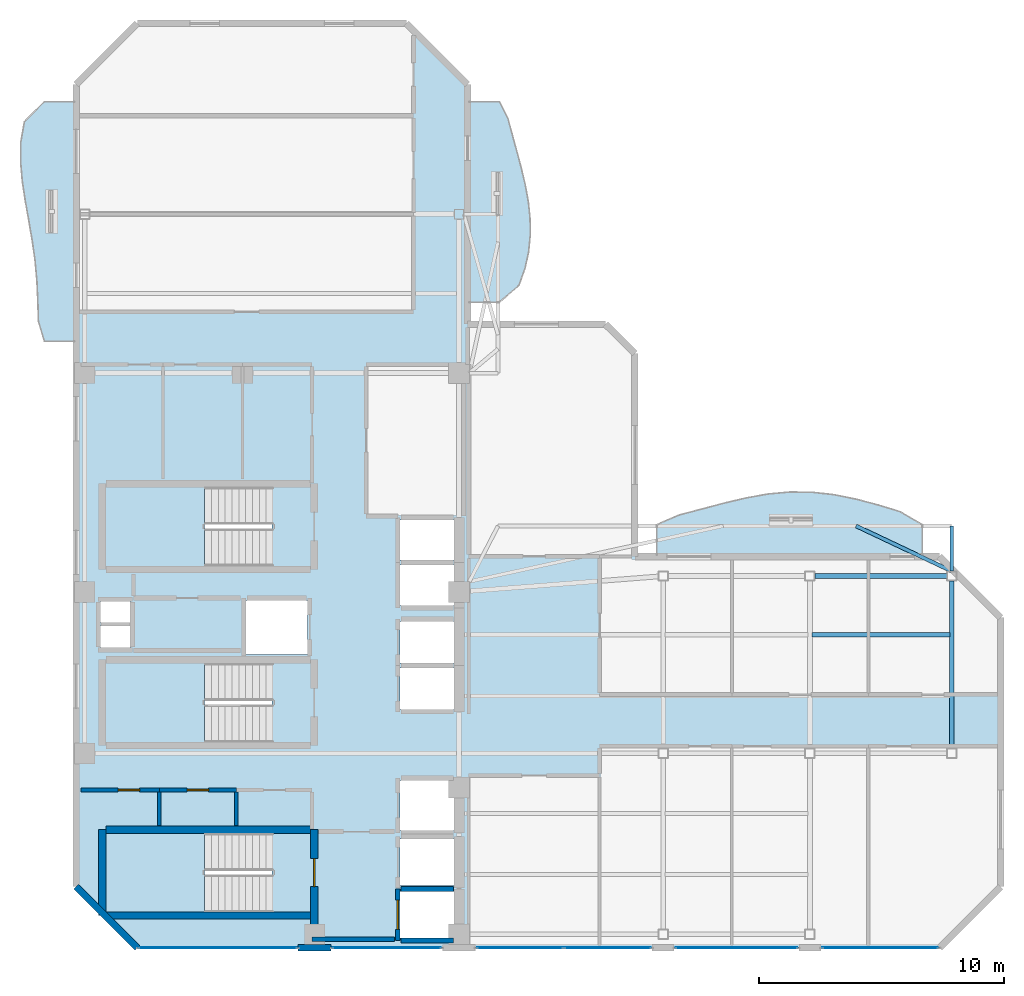
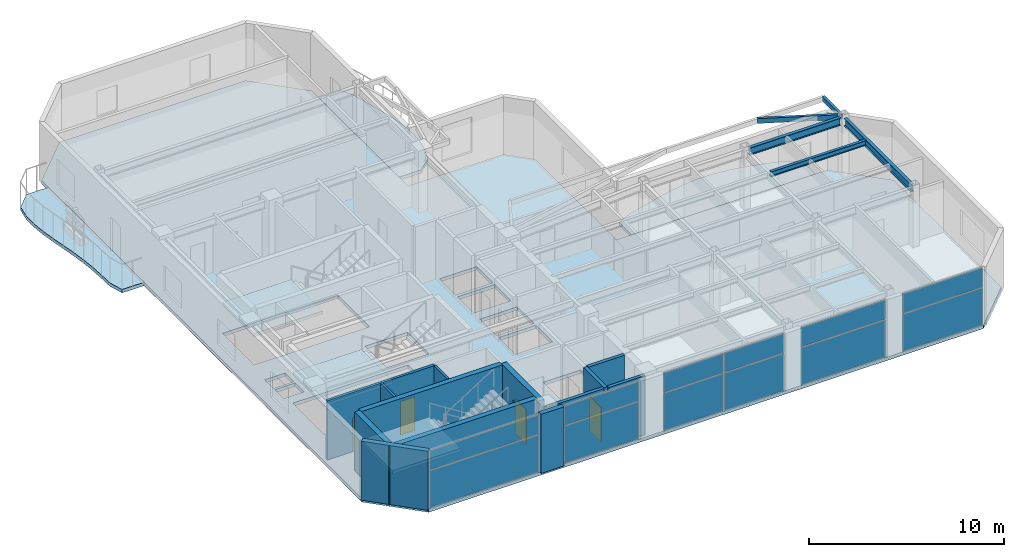
# One storey, part 8 of 14: 14 walls, 12 plates, 7 slabs, 5 beams, 4 doors, 4 openings, 8 elements without a shape of their own.
"""IFC4 building model written with IfcOpenShell, lengths in metres."""

from ifc_helpers import new_model, si_unit, direction, frame, frame_2d, origin, origin_2d, place, context, subcontext, project, spatial, polyline, rectangle, hollow_rectangle, i_section, outline, extrude, material, layer, layer_set, material_profile, profile_set, type_object, element, fill, aggregate, save


model = new_model("IFC4")

# Units and contexts
model_context = context("Model", 3, precision=1e-05, world=origin(), true_north=direction((0.0, 1.0)))
body_context = subcontext(model_context, "Body", "Model", "MODEL_VIEW")
ifc_project = project(units=[si_unit("LENGTHUNIT", "METRE"), si_unit("AREAUNIT", "SQUARE_METRE"), si_unit("VOLUMEUNIT", "CUBIC_METRE"), si_unit("PLANEANGLEUNIT", "RADIAN"), si_unit("MASSUNIT", "GRAM", prefix="KILO")], contexts=[model_context])

# Site, building, storey
site_placement = place(None, origin())
site = spatial("IfcSite", under=ifc_project, at=site_placement, CompositionType="ELEMENT")
building_placement = place(site_placement, origin())
building = spatial("IfcBuilding", under=site, at=building_placement, Name="Mawjaban Terraces University", CompositionType="ELEMENT")
storey_placement = place(building_placement, frame((0.0, 0.0, 256.0)))
storey = spatial("IfcBuildingStorey", under=building, at=storey_placement, Name="L62", CompositionType="ELEMENT", Elevation=256.0)

# Beams
ifc_material_1 = material(Name="Steel EN 10210-1 S355J2H", Category="steel")
ifc_material_profile_1 = material_profile(ifc_material_1, hollow_rectangle(XDim=0.14990234375, YDim=0.300048828125, WallThickness=0.012451171875, at=origin_2d()), Name="RHS300X150X12.5")
ifc_profile_set_1 = profile_set([ifc_material_profile_1], Name="Steel EN 10210-1 S355J2H")
beam_type_1 = type_object("IfcBeamType", Name="BalconyCantileverSpandrel_RHS", PredefinedType="SPANDREL", material=ifc_profile_set_1)
beam_1_placement = place(storey_placement, frame((57.800048828125, 15.39990234375, 3.5400390625), z_axis=(0.0, 1.0, 0.0), x_axis=(-1.0, 0.0, 0.0)))
element("IfcBeam", 1, at=beam_1_placement, inside=storey, type_object=beam_type_1, Name="L62 Exterior Outrigger BAL-L63-N.2", PredefinedType="SPANDREL", context=body_context, shape_type="SweptSolid", body=[
    extrude(hollow_rectangle(XDim=0.14990234375, YDim=0.300048828125, WallThickness=0.012451171875, at=origin_2d()), origin(), (0.0, 0.0, 1.0), 1.85009765625),
])
beam_2_placement = place(storey_placement, frame((57.800048828125, 15.39990234375, 3.5400390625), z_axis=(-0.904130086738, 0.427257283443, 0.0), x_axis=(-0.427257283443, -0.904130086738, 0.0)))
element("IfcBeam", 2, at=beam_2_placement, inside=storey, type_object=beam_type_1, Name="L62 Exterior Diagonal Strut BAL-L63-N.2", PredefinedType="SPANDREL", context=body_context, shape_type="SweptSolid", body=[
    extrude(hollow_rectangle(XDim=0.14990234375, YDim=0.300048828125, WallThickness=0.012451171875, at=origin_2d()), origin(), (0.0, 0.0, 1.0), 4.330078125),
])
ifc_material_2 = material(Name="Steel ASTM A572 Grade 50", Category="steel")
ifc_material_profile_2 = material_profile(ifc_material_2, i_section(OverallWidth=0.194091796875, OverallDepth=0.468994140625, WebThickness=0.011474609375, FlangeThickness=0.0205078125, at=origin_2d()), Name="W460X106")
ifc_profile_set_2 = profile_set([ifc_material_profile_2], Name="Steel ASTM A572 Grade 50")
beam_type_2 = type_object("IfcBeamType", Name="Beam_B_W460X106", PredefinedType="BEAM", material=ifc_profile_set_2)
beam_3_placement = place(storey_placement, frame((52.199951171875, 15.199951171875, 3.455078125), z_axis=(1.0, 0.0, 0.0), x_axis=(0.0, 1.0, 0.0)))
element("IfcBeam", 3, at=beam_3_placement, inside=storey, type_object=beam_type_2, Name="L62 Beam BM-L62-EW-07", PredefinedType="BEAM", context=body_context, shape_type="SweptSolid", body=[
    extrude(i_section(OverallWidth=0.194091796875, OverallDepth=0.468994140625, WebThickness=0.011474609375, FlangeThickness=0.0205078125, at=origin_2d()), origin(), (0.0, 0.0, 1.0), 5.400146484375),
])
beam_4_placement = place(storey_placement, frame((57.800048828125, 8.14990234375, 3.455078125), z_axis=(0.0, 1.0, 0.0), x_axis=(-1.0, 0.0, 0.0)))
element("IfcBeam", 4, at=beam_4_placement, inside=storey, type_object=beam_type_2, Name="L62 Beam BM-L62-NS-12", PredefinedType="BEAM", context=body_context, shape_type="SweptSolid", body=[
    extrude(i_section(OverallWidth=0.194091796875, OverallDepth=0.468994140625, WebThickness=0.011474609375, FlangeThickness=0.0205078125, at=origin_2d()), origin(), (0.0, 0.0, 1.0), 6.85009765625),
])
ifc_material_profile_3 = material_profile(ifc_material_2, i_section(OverallWidth=0.1669921875, OverallDepth=0.318115234375, WebThickness=0.007568359375, FlangeThickness=0.01318359375, at=origin_2d()), Name="W310X52")
ifc_profile_set_3 = profile_set([ifc_material_profile_3], Name="Steel ASTM A572 Grade 50")
beam_type_3 = type_object("IfcBeamType", Name="Beam_J_W310X52", PredefinedType="JOIST", material=ifc_profile_set_3)
beam_5_placement = place(storey_placement, frame((52.080078125, 12.800048828125, 3.531005859375), z_axis=(1.0, 0.0, 0.0), x_axis=(0.0, 1.0, 0.0)))
element("IfcBeam", 5, at=beam_5_placement, inside=storey, type_object=beam_type_3, Name="L62 Composite Joist JST-L62-10", PredefinedType="JOIST", context=body_context, shape_type="SweptSolid", body=[
    extrude(i_section(OverallWidth=0.1669921875, OverallDepth=0.318115234375, WebThickness=0.007568359375, FlangeThickness=0.01318359375, at=origin_2d()), origin(), (0.0, 0.0, 1.0), 5.639892578125),
])

# Slabs
ifc_material_3 = material(Name="Concrete C40/50", Category="concrete")
ifc_layer_1 = layer(ifc_material_3, 0.2099609375)
ifc_layer_set_1 = layer_set([ifc_layer_1], Name="Concrete C40/50")
slab_type_1 = type_object("IfcSlabType", Name="BalconySlab_210_Ext", PredefinedType="FLOOR", material=ifc_layer_set_1)
slab_1_placement = place(storey_placement, frame((0.0, 0.0, -0.2099609375)))
element("IfcSlab", 6, at=slab_1_placement, inside=storey, type_object=slab_type_1, Name="L62 Planted Balcony Slab west", PredefinedType="FLOOR", context=body_context, shape_type="SweptSolid", body=[
    extrude(outline(polyline([(22.010009765625, 24.800048828125), (22.010009765625, 34.60009765625), (20.699951171875, 34.60009765625), (19.884033203125, 33.782958984375), (19.739013671875, 32.967041015625), (19.72607421875, 32.14990234375), (19.798095703125, 31.3330078125), (19.922119140625, 30.51708984375), (20.068115234375, 29.699951171875), (20.2080078125, 28.883056640625), (20.321044921875, 28.06689453125), (20.39404296875, 27.25), (20.430908203125, 26.43310546875), (20.4560546875, 25.616943359375), (20.699951171875, 24.800048828125), (22.010009765625, 24.800048828125)])), origin(), (0.0, 0.0, 1.0), 0.2099609375),
])
slab_2_placement = place(storey_placement, frame((0.0, 0.0, -0.2099609375)))
element("IfcSlab", 7, at=slab_2_placement, inside=storey, type_object=slab_type_1, Name="L62 Planted Balcony Slab inner_north", PredefinedType="FLOOR", context=body_context, shape_type="SweptSolid", body=[
    extrude(outline(polyline([(45.739990234375, 15.989990234375), (56.60009765625, 15.989990234375), (56.60009765625, 17.300048828125), (55.695068359375, 17.8310546875), (54.7900390625, 18.10693359375), (53.885009765625, 18.345947265625), (52.97998046875, 18.528076171875), (52.074951171875, 18.62890625), (51.169921875, 18.636962890625), (50.264892578125, 18.552001953125), (49.360107421875, 18.387939453125), (48.455078125, 18.172119140625), (47.550048828125, 17.931884765625), (46.64501953125, 17.694091796875), (45.739990234375, 17.300048828125), (45.739990234375, 15.989990234375)])), origin(), (0.0, 0.0, 1.0), 0.2099609375),
])
slab_3_placement = place(storey_placement, frame((0.0, 0.0, -0.2099609375)))
element("IfcSlab", 8, at=slab_3_placement, inside=storey, type_object=slab_type_1, Name="L62 Planted Balcony Slab inner_east", PredefinedType="FLOOR", context=body_context, shape_type="SweptSolid", body=[
    extrude(outline(polyline([(39.300048828125, 26.39990234375), (40.10009765625, 27.0830078125), (40.346923828125, 27.76708984375), (40.49609375, 28.449951171875), (40.56396484375, 29.133056640625), (40.55810546875, 29.81689453125), (40.487060546875, 30.5), (40.364013671875, 31.18310546875), (40.201904296875, 31.866943359375), (40.02099609375, 32.550048828125), (39.833984375, 33.23291015625), (39.64892578125, 33.9169921875), (39.300048828125, 34.60009765625), (37.989990234375, 34.60009765625), (37.989990234375, 26.39990234375), (39.300048828125, 26.39990234375)])), origin(), (0.0, 0.0, 1.0), 0.2099609375),
])
ifc_layer_2 = layer(ifc_material_3, 0.2099609375)
ifc_layer_set_2 = layer_set([ifc_layer_2], Name="Concrete C40/50")
slab_type_2 = type_object("IfcSlabType", Name="CompositeSlab_210", PredefinedType="FLOOR", material=ifc_layer_set_2)
slab_4_placement = place(storey_placement, frame((0.0, 0.0, -0.2099609375)))
element("IfcSlab", 9, at=slab_4_placement, inside=storey, type_object=slab_type_2, Name="L62 Primary Structural Slab", PredefinedType="FLOOR", context=body_context, shape_type="SweptSolid", body=[
    extrude(outline(polyline([(24.5, 0.0), (57.300048828125, 0.0), (59.800048828125, 2.5), (59.800048828125, 13.5), (57.300048828125, 16.0), (44.840087890625, 16.0), (44.840087890625, 24.300048828125), (43.639892578125, 25.5), (38.0, 25.5), (38.0, 35.300048828125), (35.5, 37.800048828125), (24.5, 37.800048828125), (22.0, 35.300048828125), (22.0, 2.5), (24.5, 0.0)]), holes=[polyline([(30.014892578125, 4.699951171875), (23.199951171875, 4.699951171875), (23.199951171875, 1.449951171875), (30.014892578125, 1.449951171875), (30.014892578125, 4.699951171875)]), polyline([(30.014892578125, 18.85009765625), (23.199951171875, 18.85009765625), (23.199951171875, 15.60009765625), (30.014892578125, 15.60009765625), (30.014892578125, 18.85009765625)]), polyline([(30.014892578125, 11.64990234375), (23.199951171875, 11.64990234375), (23.199951171875, 8.39990234375), (30.014892578125, 8.39990234375), (30.014892578125, 11.64990234375)]), polyline([(35.25, 0.39990234375), (37.449951171875, 0.39990234375), (37.449951171875, 2.300048828125), (35.25, 2.300048828125), (35.25, 0.39990234375)]), polyline([(35.25, 2.550048828125), (37.449951171875, 2.550048828125), (37.449951171875, 4.449951171875), (35.25, 4.449951171875), (35.25, 2.550048828125)]), polyline([(35.25, 4.800048828125), (37.449951171875, 4.800048828125), (37.449951171875, 6.85009765625), (35.25, 6.85009765625), (35.25, 4.800048828125)]), polyline([(35.25, 9.75), (37.449951171875, 9.75), (37.449951171875, 11.449951171875), (35.25, 11.449951171875), (35.25, 9.75)]), polyline([(35.25, 11.64990234375), (37.449951171875, 11.64990234375), (37.449951171875, 13.35009765625), (35.25, 13.35009765625), (35.25, 11.64990234375)]), polyline([(28.949951171875, 12.0), (31.449951171875, 12.0), (31.449951171875, 14.199951171875), (28.949951171875, 14.199951171875), (28.949951171875, 12.0)]), polyline([(35.25, 14.0), (37.449951171875, 14.0), (37.449951171875, 15.64990234375), (35.25, 15.64990234375), (35.25, 14.0)]), polyline([(35.25, 15.85009765625), (37.449951171875, 15.85009765625), (37.449951171875, 17.5), (35.25, 17.5), (35.25, 15.85009765625)]), polyline([(23.0, 12.25), (24.199951171875, 12.25), (24.199951171875, 13.14990234375), (23.0, 13.14990234375), (23.0, 12.25)]), polyline([(23.0, 13.300048828125), (24.199951171875, 13.300048828125), (24.199951171875, 14.179931640625), (23.0, 14.179931640625), (23.0, 13.300048828125)])]), origin(), (0.0, 0.0, 1.0), 0.2099609375),
])

# Stair, slab
stair_type = type_object("IfcStairType", Name="Stair_Core1550_H39", PredefinedType="HALF_TURN_STAIR", material=ifc_material_3)
stair_1_placement = place(storey_placement, origin())
stair_1 = element("IfcStair", 10, at=stair_1_placement, inside=storey, type_object=stair_type, Name="L62 Core Exit Stair 1", PredefinedType="HALF_TURN_STAIR")
ifc_layer_3 = layer(ifc_material_3, 0.199951171875)
ifc_layer_set_3 = layer_set([ifc_layer_3], Name="Concrete C40/50")
slab_type_3 = type_object("IfcSlabType", Name="StairLandingSlab_200", PredefinedType="LANDING", material=ifc_layer_set_3)
slab_5_placement = place(storey_placement, frame((0.0, 0.0, 1.75)))
slab_5 = element("IfcSlab", 11, at=slab_5_placement, type_object=slab_type_3, Name="ST-1 landing 1", PredefinedType="LANDING", context=body_context, shape_type="SweptSolid", body=[
    extrude(outline(polyline([(27.25, 4.699951171875), (23.199951171875, 4.699951171875), (23.199951171875, 1.449951171875), (27.25, 1.449951171875), (27.25, 4.699951171875)])), origin(), (0.0, 0.0, 1.0), 0.199951171875),
])
aggregate(stair_1, [slab_5])

stair_2_placement = place(storey_placement, origin())
stair_2 = element("IfcStair", 12, at=stair_2_placement, inside=storey, type_object=stair_type, Name="L62 Core Exit Stair 2", PredefinedType="HALF_TURN_STAIR")
slab_6_placement = place(storey_placement, frame((0.0, 0.0, 1.75)))
slab_6 = element("IfcSlab", 13, at=slab_6_placement, type_object=slab_type_3, Name="ST-2 landing 1", PredefinedType="LANDING", context=body_context, shape_type="SweptSolid", body=[
    extrude(outline(polyline([(27.25, 18.85009765625), (23.199951171875, 18.85009765625), (23.199951171875, 15.60009765625), (27.25, 15.60009765625), (27.25, 18.85009765625)])), origin(), (0.0, 0.0, 1.0), 0.199951171875),
])
aggregate(stair_2, [slab_6])

stair_3_placement = place(storey_placement, origin())
stair_3 = element("IfcStair", 14, at=stair_3_placement, inside=storey, type_object=stair_type, Name="L62 Core Exit Stair 3", PredefinedType="HALF_TURN_STAIR")
slab_7_placement = place(storey_placement, frame((0.0, 0.0, 1.75)))
slab_7 = element("IfcSlab", 15, at=slab_7_placement, type_object=slab_type_3, Name="ST-3 landing 1", PredefinedType="LANDING", context=body_context, shape_type="SweptSolid", body=[
    extrude(outline(polyline([(27.25, 11.64990234375), (23.199951171875, 11.64990234375), (23.199951171875, 8.39990234375), (27.25, 8.39990234375), (27.25, 11.64990234375)])), origin(), (0.0, 0.0, 1.0), 0.199951171875),
])
aggregate(stair_3, [slab_7])

# Curtain wall, plates
ifc_material_4 = material(Name="Anodised aluminium 6063-T6 and solar-control low-E glass", Category="aluminium")
ifc_layer_4 = layer(ifc_material_4, 0.159912109375)
ifc_layer_set_4 = layer_set([ifc_layer_4], Name="Anodised aluminium 6063-T6 and solar-control low-E glass")
curtain_wall_type = type_object("IfcCurtainWallType", Name="CWSystem_03_NorthWing", PredefinedType="NOTDEFINED", material=ifc_layer_set_4)
curtain_wall_1_placement = place(storey_placement, origin())
curtain_wall_1 = element("IfcCurtainWall", 16, at=curtain_wall_1_placement, inside=storey, type_object=curtain_wall_type, Name="L62 Curtain Wall CW-03 Run 1.1", PredefinedType="NOTDEFINED")
ifc_material_5 = material(Name="Low-E solar-control double glazing", Category="glass")
ifc_layer_5 = layer(ifc_material_5, 0.028076171875)
ifc_layer_set_5 = layer_set([ifc_layer_5], Name="Low-E solar-control double glazing")
plate_type = type_object("IfcPlateType", Name="VisionPanel_CW-03", PredefinedType="CURTAIN_PANEL", material=ifc_layer_set_5)
plate_1_placement = place(storey_placement, frame((27.78759765625, 0.0, 0.06005859375), z_axis=(0.0, 0.0, 1.0), x_axis=(1.0, 0.0, 0.0)))
plate_1 = element("IfcPlate", 17, at=plate_1_placement, type_object=plate_type, Name="CW-03 panel 1.1", PredefinedType="CURTAIN_PANEL", context=body_context, shape_type="SweptSolid", body=[
    extrude(rectangle(XDim=6.445068359375, YDim=0.028076171875, at=origin_2d()), origin(), (0.0, 0.0, 1.0), 2.30908203125),
])
plate_2_placement = place(storey_placement, frame((27.78759765625, 0.0, 2.42919921875), z_axis=(0.0, 0.0, 1.0), x_axis=(1.0, 0.0, 0.0)))
plate_2 = element("IfcPlate", 18, at=plate_2_placement, type_object=plate_type, Name="CW-03 panel 1.2", PredefinedType="CURTAIN_PANEL", context=body_context, shape_type="SweptSolid", body=[
    extrude(rectangle(XDim=6.445068359375, YDim=0.028076171875, at=origin_2d()), origin(), (0.0, 0.0, 1.0), 1.200927734375),
])
aggregate(curtain_wall_1, [plate_1, plate_2])

curtain_wall_2_placement = place(storey_placement, origin())
curtain_wall_2 = element("IfcCurtainWall", 19, at=curtain_wall_2_placement, inside=storey, type_object=curtain_wall_type, Name="L62 Curtain Wall CW-03 Run 1.2", PredefinedType="NOTDEFINED")
plate_3_placement = place(storey_placement, frame((34.699951171875, 0.0, 0.06005859375), z_axis=(0.0, 0.0, 1.0), x_axis=(1.0, 0.0, 0.0)))
plate_3 = element("IfcPlate", 20, at=plate_3_placement, type_object=plate_type, Name="CW-03 panel 1.1", PredefinedType="CURTAIN_PANEL", context=body_context, shape_type="SweptSolid", body=[
    extrude(rectangle(XDim=4.419921875, YDim=0.028076171875, at=origin_2d()), origin(), (0.0, 0.0, 1.0), 2.30908203125),
])
plate_4_placement = place(storey_placement, frame((34.699951171875, 0.0, 2.42919921875), z_axis=(0.0, 0.0, 1.0), x_axis=(1.0, 0.0, 0.0)))
plate_4 = element("IfcPlate", 21, at=plate_4_placement, type_object=plate_type, Name="CW-03 panel 1.2", PredefinedType="CURTAIN_PANEL", context=body_context, shape_type="SweptSolid", body=[
    extrude(rectangle(XDim=4.419921875, YDim=0.028076171875, at=origin_2d()), origin(), (0.0, 0.0, 1.0), 1.200927734375),
])
aggregate(curtain_wall_2, [plate_3, plate_4])

curtain_wall_3_placement = place(storey_placement, origin())
curtain_wall_3 = element("IfcCurtainWall", 22, at=curtain_wall_3_placement, inside=storey, type_object=curtain_wall_type, Name="L62 Curtain Wall CW-03 Run 1.3", PredefinedType="NOTDEFINED")
plate_5_placement = place(storey_placement, frame((40.1474609375, 0.0, 0.06005859375), z_axis=(0.0, 0.0, 1.0), x_axis=(1.0, 0.0, 0.0)))
plate_5 = element("IfcPlate", 23, at=plate_5_placement, type_object=plate_type, Name="CW-03 panel 1.1", PredefinedType="CURTAIN_PANEL", context=body_context, shape_type="SweptSolid", body=[
    extrude(rectangle(XDim=3.514892578125, YDim=0.028076171875, at=origin_2d()), origin(), (0.0, 0.0, 1.0), 2.30908203125),
])
plate_6_placement = place(storey_placement, frame((40.1474609375, 0.0, 2.42919921875), z_axis=(0.0, 0.0, 1.0), x_axis=(1.0, 0.0, 0.0)))
plate_6 = element("IfcPlate", 24, at=plate_6_placement, type_object=plate_type, Name="CW-03 panel 1.2", PredefinedType="CURTAIN_PANEL", context=body_context, shape_type="SweptSolid", body=[
    extrude(rectangle(XDim=3.514892578125, YDim=0.028076171875, at=origin_2d()), origin(), (0.0, 0.0, 1.0), 1.200927734375),
])
plate_7_placement = place(storey_placement, frame((43.7275390625, 0.0, 0.06005859375), z_axis=(0.0, 0.0, 1.0), x_axis=(1.0, 0.0, 0.0)))
plate_7 = element("IfcPlate", 25, at=plate_7_placement, type_object=plate_type, Name="CW-03 panel 2.1", PredefinedType="CURTAIN_PANEL", context=body_context, shape_type="SweptSolid", body=[
    extrude(rectangle(XDim=3.514892578125, YDim=0.028076171875, at=origin_2d()), origin(), (0.0, 0.0, 1.0), 2.30908203125),
])
plate_8_placement = place(storey_placement, frame((43.7275390625, 0.0, 2.42919921875), z_axis=(0.0, 0.0, 1.0), x_axis=(1.0, 0.0, 0.0)))
plate_8 = element("IfcPlate", 26, at=plate_8_placement, type_object=plate_type, Name="CW-03 panel 2.2", PredefinedType="CURTAIN_PANEL", context=body_context, shape_type="SweptSolid", body=[
    extrude(rectangle(XDim=3.514892578125, YDim=0.028076171875, at=origin_2d()), origin(), (0.0, 0.0, 1.0), 1.200927734375),
])
aggregate(curtain_wall_3, [plate_5, plate_6, plate_7, plate_8])

curtain_wall_4_placement = place(storey_placement, origin())
curtain_wall_4 = element("IfcCurtainWall", 27, at=curtain_wall_4_placement, inside=storey, type_object=curtain_wall_type, Name="L62 Curtain Wall CW-03 Run 1.4", PredefinedType="NOTDEFINED")
plate_9_placement = place(storey_placement, frame((49.0, 0.0, 0.06005859375), z_axis=(0.0, 0.0, 1.0), x_axis=(1.0, 0.0, 0.0)))
plate_9 = element("IfcPlate", 28, at=plate_9_placement, type_object=plate_type, Name="CW-03 panel 1.1", PredefinedType="CURTAIN_PANEL", context=body_context, shape_type="SweptSolid", body=[
    extrude(rectangle(XDim=4.969970703125, YDim=0.028076171875, at=origin_2d()), origin(), (0.0, 0.0, 1.0), 2.30908203125),
])
plate_10_placement = place(storey_placement, frame((49.0, 0.0, 2.42919921875), z_axis=(0.0, 0.0, 1.0), x_axis=(1.0, 0.0, 0.0)))
plate_10 = element("IfcPlate", 29, at=plate_10_placement, type_object=plate_type, Name="CW-03 panel 1.2", PredefinedType="CURTAIN_PANEL", context=body_context, shape_type="SweptSolid", body=[
    extrude(rectangle(XDim=4.969970703125, YDim=0.028076171875, at=origin_2d()), origin(), (0.0, 0.0, 1.0), 1.200927734375),
])
aggregate(curtain_wall_4, [plate_9, plate_10])

curtain_wall_5_placement = place(storey_placement, origin())
curtain_wall_5 = element("IfcCurtainWall", 30, at=curtain_wall_5_placement, inside=storey, type_object=curtain_wall_type, Name="L62 Curtain Wall CW-03 Run 1.5", PredefinedType="NOTDEFINED")
plate_11_placement = place(storey_placement, frame((54.875, 0.0, 0.06005859375), z_axis=(0.0, 0.0, 1.0), x_axis=(1.0, 0.0, 0.0)))
plate_11 = element("IfcPlate", 31, at=plate_11_placement, type_object=plate_type, Name="CW-03 panel 1.1", PredefinedType="CURTAIN_PANEL", context=body_context, shape_type="SweptSolid", body=[
    extrude(rectangle(XDim=4.719970703125, YDim=0.028076171875, at=origin_2d()), origin(), (0.0, 0.0, 1.0), 2.30908203125),
])
plate_12_placement = place(storey_placement, frame((54.875, 0.0, 2.42919921875), z_axis=(0.0, 0.0, 1.0), x_axis=(1.0, 0.0, 0.0)))
plate_12 = element("IfcPlate", 32, at=plate_12_placement, type_object=plate_type, Name="CW-03 panel 1.2", PredefinedType="CURTAIN_PANEL", context=body_context, shape_type="SweptSolid", body=[
    extrude(rectangle(XDim=4.719970703125, YDim=0.028076171875, at=origin_2d()), origin(), (0.0, 0.0, 1.0), 1.200927734375),
])
aggregate(curtain_wall_5, [plate_11, plate_12])

# Wall, opening, door
ifc_material_6 = material(Name="Fire-rated gypsum board on steel stud", Category="steel")
ifc_layer_6 = layer(ifc_material_6, 0.159912109375)
ifc_layer_set_6 = layer_set([ifc_layer_6], Name="Fire-rated gypsum board on steel stud")
wall_type_1 = type_object("IfcWallType", Name="CorridorPartition_160", PredefinedType="PARTITIONING", material=ifc_layer_set_6)
wall_1_placement = place(storey_placement, frame((22.199951171875, 6.449951171875, 0.0), z_axis=(0.0, 0.0, 1.0), x_axis=(1.0, 0.0, 0.0)))
wall_1 = element("IfcWall", 33, at=wall_1_placement, inside=storey, type_object=wall_type_1, Name="L62 Core Washroom Lobby Partition 1", PredefinedType="PARTITIONING", context=body_context, shape_type="SweptSolid", body=[
    extrude(rectangle(XDim=3.199951171875, YDim=0.159912109375, at=frame_2d((1.60009765625, 0.0))), origin(), (0.0, 0.0, 1.0), 3.68994140625),
])
opening_1_placement = place(wall_1_placement, frame((1.510009765625, 0.0, 0.0)))
opening_1 = element("IfcOpeningElement", 34, at=opening_1_placement, cuts=wall_1, Name="Opening ID-088", PredefinedType="OPENING", context=body_context, shape_type="SweptSolid", body=[
    extrude(rectangle(XDim=0.8798828125, YDim=2.10009765625, at=frame_2d((0.43994140625, 1.050048828125))), frame((0.0, 0.08984375, 0.0), z_axis=(0.0, -1.0, 0.0), x_axis=(1.0, 0.0, 0.0)), (0.0, 0.0, 1.0), 0.179931640625),
])
ifc_material_7 = material(Name="Powder-coated steel frame and solid acoustic timber leaf", Category="steel")
door_type_1 = type_object("IfcDoorType", Name="ToiletDoor_880x2100", OperationType="NOTDEFINED", PredefinedType="DOOR", material=ifc_material_7)
door_1_placement = place(opening_1_placement, origin())
door_1 = element("IfcDoor", 35, at=door_1_placement, inside=storey, type_object=door_type_1, Name="L62 Male Toilet Door", OperationType="SINGLE_SWING_RIGHT", OverallHeight=2.10009765625, OverallWidth=0.8798828125, PredefinedType="DOOR", context=body_context, shape_type="SweptSolid", body=[
    extrude(rectangle(XDim=0.8798828125, YDim=2.10009765625, at=frame_2d((0.43994140625, 1.050048828125))), frame((0.0, 0.02490234375, 0.0), z_axis=(0.0, -1.0, 0.0), x_axis=(1.0, 0.0, 0.0)), (0.0, 0.0, 1.0), 0.050048828125),
])
fill(opening_1, door_1)

wall_2_placement = place(storey_placement, frame((25.39990234375, 6.449951171875, 0.0), z_axis=(0.0, 0.0, 1.0), x_axis=(1.0, 0.0, 0.0)))
wall_2 = element("IfcWall", 36, at=wall_2_placement, inside=storey, type_object=wall_type_1, Name="L62 Core Washroom Lobby Partition 4", PredefinedType="PARTITIONING", context=body_context, shape_type="SweptSolid", body=[
    extrude(rectangle(XDim=3.150146484375, YDim=0.159912109375, at=frame_2d((1.5751953125, 0.0))), origin(), (0.0, 0.0, 1.0), 3.68994140625),
])
opening_2_placement = place(wall_2_placement, frame((1.135009765625, 0.0, 0.0)))
opening_2 = element("IfcOpeningElement", 37, at=opening_2_placement, cuts=wall_2, Name="Opening ID-088", PredefinedType="OPENING", context=body_context, shape_type="SweptSolid", body=[
    extrude(rectangle(XDim=0.8798828125, YDim=2.10009765625, at=frame_2d((0.43994140625, 1.050048828125))), frame((0.0, 0.08984375, 0.0), z_axis=(0.0, -1.0, 0.0), x_axis=(1.0, 0.0, 0.0)), (0.0, 0.0, 1.0), 0.179931640625),
])
door_2_placement = place(opening_2_placement, origin())
door_2 = element("IfcDoor", 38, at=door_2_placement, inside=storey, type_object=door_type_1, Name="L62 Female Toilet Door", OperationType="SINGLE_SWING_LEFT", OverallHeight=2.10009765625, OverallWidth=0.8798828125, PredefinedType="DOOR", context=body_context, shape_type="SweptSolid", body=[
    extrude(rectangle(XDim=0.8798828125, YDim=2.10009765625, at=frame_2d((0.43994140625, 1.050048828125))), frame((0.0, 0.02490234375, 0.0), z_axis=(0.0, -1.0, 0.0), x_axis=(1.0, 0.0, 0.0)), (0.0, 0.0, 1.0), 0.050048828125),
])
fill(opening_2, door_2)

# Walls
ifc_material_8 = material(Name="Insulated terracotta rainscreen on concrete backup C40/50", Category="masonry")
ifc_layer_7 = layer(ifc_material_8, 0.27490234375)
ifc_layer_set_7 = layer_set([ifc_layer_7], Name="Insulated terracotta rainscreen on concrete backup C40/50")
wall_type_2 = type_object("IfcWallType", Name="ExtTerracottaWall_275", PredefinedType="SOLIDWALL", material=ifc_layer_set_7)
wall_3_placement = place(storey_placement, frame((31.074951171875, 0.0, 0.0), z_axis=(0.0, 0.0, 1.0), x_axis=(1.0, 0.0, 0.0)))
element("IfcWall", 39, at=wall_3_placement, inside=storey, type_object=wall_type_2, Name="L62 Exterior Terracotta Pier Wall 1.1", PredefinedType="SOLIDWALL", context=body_context, shape_type="SweptSolid", body=[
    extrude(rectangle(XDim=1.35009765625, YDim=0.27490234375, at=frame_2d((0.675048828125, 0.0))), origin(), (0.0, 0.0, 1.0), 3.68994140625),
])
wall_4_placement = place(storey_placement, frame((22.0, 2.5, 0.0), z_axis=(0.0, 0.0, 1.0), x_axis=(0.707106781187, -0.707106781187, 0.0)))
element("IfcWall", 40, at=wall_4_placement, inside=storey, type_object=wall_type_2, Name="L62 Exterior Terracotta Wall 14", PredefinedType="SOLIDWALL", context=body_context, shape_type="SweptSolid", body=[
    extrude(rectangle(XDim=3.53564453125, YDim=0.27490234375, at=frame_2d((1.767822265625, 0.0))), origin(), (0.0, 0.0, 1.0), 3.68994140625),
])

# Wall, opening, door
ifc_layer_8 = layer(ifc_material_3, 0.199951171875)
ifc_layer_set_8 = layer_set([ifc_layer_8], Name="Concrete C40/50")
wall_type_3 = type_object("IfcWallType", Name="FireLobbyWall_200", PredefinedType="SOLIDWALL", material=ifc_layer_set_8)
wall_5_placement = place(storey_placement, frame((35.14990234375, 2.39990234375, 0.0), z_axis=(0.0, 0.0, 1.0), x_axis=(0.0, -1.0, 0.0)))
wall_5 = element("IfcWall", 41, at=wall_5_placement, inside=storey, type_object=wall_type_3, Name="L62 Lift FL-1 Hoistway Wall West", PredefinedType="SOLIDWALL", context=body_context, shape_type="SweptSolid", body=[
    extrude(rectangle(XDim=2.099853515625, YDim=0.199951171875, at=frame_2d((1.0498046875, 0.0))), origin(), (0.0, 0.0, 1.0), 3.68994140625),
])
opening_3_placement = place(wall_5_placement, frame((0.449951171875, 0.0, 0.0)))
opening_3 = element("IfcOpeningElement", 42, at=opening_3_placement, cuts=wall_5, Name="Opening LD-FL-1", PredefinedType="OPENING", context=body_context, shape_type="SweptSolid", body=[
    extrude(rectangle(XDim=1.199951171875, YDim=2.14990234375, at=frame_2d((0.60009765625, 1.074951171875))), frame((0.0, 0.10986328125, 0.0), z_axis=(0.0, -1.0, 0.0), x_axis=(1.0, 0.0, 0.0)), (0.0, 0.0, 1.0), 0.219970703125),
])
ifc_material_9 = material(Name="Powder-coated steel frame and fire-rated steel-faced leaf", Category="steel")
door_type_2 = type_object("IfcDoorType", Name="LiftLandingFSAE_1200x2150", OperationType="NOTDEFINED", PredefinedType="DOOR", material=ifc_material_9)
door_3_placement = place(opening_3_placement, origin())
door_3 = element("IfcDoor", 43, at=door_3_placement, inside=storey, type_object=door_type_2, Name="L62 Lift FL-1 Sliding Landing Door", OperationType="DOUBLE_DOOR_SLIDING", OverallHeight=2.14990234375, OverallWidth=1.199951171875, PredefinedType="DOOR", context=body_context, shape_type="SweptSolid", body=[
    extrude(rectangle(XDim=1.199951171875, YDim=2.14990234375, at=frame_2d((0.60009765625, 1.074951171875))), frame((0.0, 0.02490234375, 0.0), z_axis=(0.0, -1.0, 0.0), x_axis=(1.0, 0.0, 0.0)), (0.0, 0.0, 1.0), 0.050048828125),
])
fill(opening_3, door_3)

# Walls
for number, where, z_axis, x_axis, name in (
    (44, (35.280029296875, 0.300048828125, 0.0), (0.0, 0.0, 1.0), (1.0, 0.0, 0.0), "L62 Lift FL-1 Hoistway Wall South"),
    (45, (37.419921875, 2.39990234375, 0.0), (0.0, 0.0, 1.0), (-1.0, 0.0, 0.0), "L62 Lift FL-1 Hoistway Wall North"),
):
    element("IfcWall", number, at=place(storey_placement, frame(where, z_axis=z_axis, x_axis=x_axis)), inside=storey, type_object=wall_type_3, Name=name, PredefinedType="SOLIDWALL", context=body_context, shape_type="SweptSolid", body=[
        extrude(rectangle(XDim=2.139892578125, YDim=0.199951171875, at=frame_2d((1.06982421875, 0.0))), origin(), (0.0, 0.0, 1.0), 3.68994140625),
    ])
wall_6_placement = place(storey_placement, frame((31.64990234375, 0.35009765625, 0.0), z_axis=(0.0, 0.0, 1.0), x_axis=(1.0, 0.0, 0.0)))
element("IfcWall", 46, at=wall_6_placement, inside=storey, type_object=wall_type_3, Name="L62 Firefighting Lift Lobby Partition 8", PredefinedType="SOLIDWALL", context=body_context, shape_type="SweptSolid", body=[
    extrude(rectangle(XDim=3.3701171875, YDim=0.199951171875, at=frame_2d((1.68505859375, 0.0))), origin(), (0.0, 0.0, 1.0), 3.68994140625),
])
ifc_material_10 = material(Name="Concrete C60/75", Category="concrete")
ifc_layer_9 = layer(ifc_material_10, 0.300048828125)
ifc_layer_set_9 = layer_set([ifc_layer_9], Name="Concrete C60/75")
wall_type_4 = type_object("IfcWallType", Name="StairShaftWall_300", PredefinedType="SHEAR", material=ifc_layer_set_9)
wall_7_placement = place(storey_placement, frame((31.580078125, 4.830078125, 0.0), z_axis=(0.0, 0.0, 1.0), x_axis=(-1.0, 0.0, 0.0)))
element("IfcWall", 47, at=wall_7_placement, inside=storey, type_object=wall_type_4, Name="L62 ST-1 Stair Shaft Wall 1", PredefinedType="SHEAR", context=body_context, shape_type="SweptSolid", body=[
    extrude(rectangle(XDim=8.360107421875, YDim=0.300048828125, at=frame_2d((4.18017578125, 0.0))), origin(), (0.0, 0.0, 1.0), 3.68994140625),
])
wall_8_placement = place(storey_placement, frame((23.070068359375, 4.830078125, 0.0), z_axis=(0.0, 0.0, 1.0), x_axis=(0.0, -1.0, 0.0)))
element("IfcWall", 48, at=wall_8_placement, inside=storey, type_object=wall_type_4, Name="L62 ST-1 Stair Shaft Wall 2", PredefinedType="SHEAR", context=body_context, shape_type="SweptSolid", body=[
    extrude(rectangle(XDim=3.510009765625, YDim=0.300048828125, at=frame_2d((1.7548828125, 0.0))), origin(), (0.0, 0.0, 1.0), 3.68994140625),
])
wall_9_placement = place(storey_placement, frame((23.219970703125, 1.320068359375, 0.0), z_axis=(0.0, 0.0, 1.0), x_axis=(1.0, 0.0, 0.0)))
element("IfcWall", 49, at=wall_9_placement, inside=storey, type_object=wall_type_4, Name="L62 ST-1 Stair Shaft Wall 3", PredefinedType="SHEAR", context=body_context, shape_type="SweptSolid", body=[
    extrude(rectangle(XDim=8.360107421875, YDim=0.300048828125, at=frame_2d((4.18017578125, 0.0))), origin(), (0.0, 0.0, 1.0), 3.68994140625),
])

# Wall, opening, door
wall_10_placement = place(storey_placement, frame((31.72998046875, 0.9599609375, 0.0), z_axis=(0.0, 0.0, 1.0), x_axis=(0.0, 1.0, 0.0)))
wall_10 = element("IfcWall", 50, at=wall_10_placement, inside=storey, type_object=wall_type_4, Name="L62 ST-1 Stair Shaft Wall 4", PredefinedType="SHEAR", context=body_context, shape_type="SweptSolid", body=[
    extrude(rectangle(XDim=3.8701171875, YDim=0.300048828125, at=frame_2d((1.93505859375, 0.0))), origin(), (0.0, 0.0, 1.0), 3.68994140625),
])
opening_4_placement = place(wall_10_placement, frame((1.5400390625, 0.0, 0.0)))
opening_4 = element("IfcOpeningElement", 51, at=opening_4_placement, cuts=wall_10, Name="Opening FD-115", PredefinedType="OPENING", context=body_context, shape_type="SweptSolid", body=[
    extrude(rectangle(XDim=1.14990234375, YDim=2.14990234375, at=frame_2d((0.574951171875, 1.074951171875))), frame((0.0, 0.159912109375, 0.0), z_axis=(0.0, -1.0, 0.0), x_axis=(1.0, 0.0, 0.0)), (0.0, 0.0, 1.0), 0.320068359375),
])
door_type_3 = type_object("IfcDoorType", Name="FireStairDoor_1150x2150", OperationType="NOTDEFINED", PredefinedType="DOOR", material=ifc_material_9)
door_4_placement = place(opening_4_placement, origin())
door_4 = element("IfcDoor", 52, at=door_4_placement, inside=storey, type_object=door_type_3, Name="L62 ST-1 Pressurised Stair Fire Door", OperationType="SINGLE_SWING_RIGHT", OverallHeight=2.14990234375, OverallWidth=1.14990234375, PredefinedType="DOOR", context=body_context, shape_type="SweptSolid", body=[
    extrude(rectangle(XDim=1.14990234375, YDim=2.14990234375, at=frame_2d((0.574951171875, 1.074951171875))), frame((0.0, 0.02490234375, 0.0), z_axis=(0.0, -1.0, 0.0), x_axis=(1.0, 0.0, 0.0)), (0.0, 0.0, 1.0), 0.050048828125),
])
fill(opening_4, door_4)

# Walls
ifc_material_11 = material(Name="Cement-board wet-room partition", Category="masonry")
ifc_layer_10 = layer(ifc_material_11, 0.135009765625)
ifc_layer_set_10 = layer_set([ifc_layer_10], Name="Cement-board wet-room partition")
wall_type_5 = type_object("IfcWallType", Name="WetRoomPartition_135", PredefinedType="PARTITIONING", material=ifc_layer_set_10)
for number, where, z_axis, x_axis, name in (
    (53, (25.39990234375, 5.010009765625, 0.0), (0.0, 0.0, 1.0), (0.0, 1.0, 0.0), "L62 Male Toilet Partition 26"),
    (54, (28.550048828125, 5.010009765625, 0.0), (0.0, 0.0, 1.0), (0.0, 1.0, 0.0), "L62 Female Toilet Partition 28"),
):
    element("IfcWall", number, at=place(storey_placement, frame(where, z_axis=z_axis, x_axis=x_axis)), inside=storey, type_object=wall_type_5, Name=name, PredefinedType="PARTITIONING", context=body_context, shape_type="SweptSolid", body=[
        extrude(rectangle(XDim=1.364990234375, YDim=0.135009765625, at=frame_2d((0.6826171875, 0.0))), origin(), (0.0, 0.0, 1.0), 3.68994140625),
    ])

save(model, "model.ifc")
